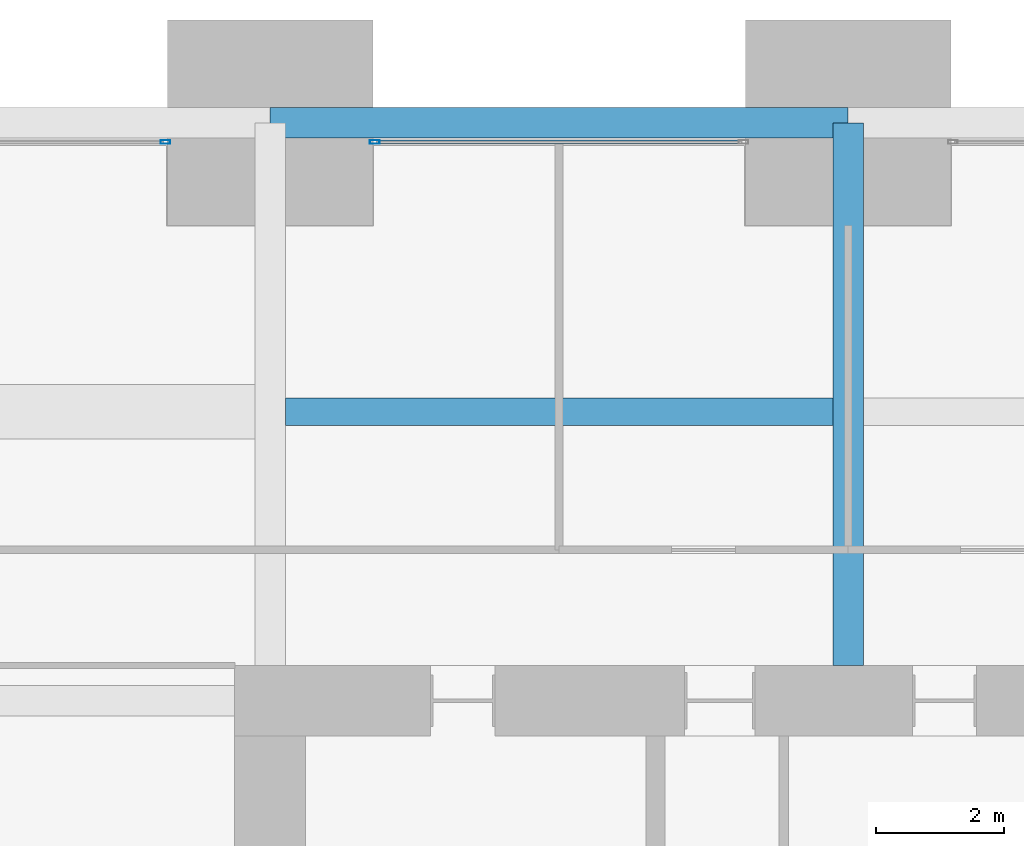
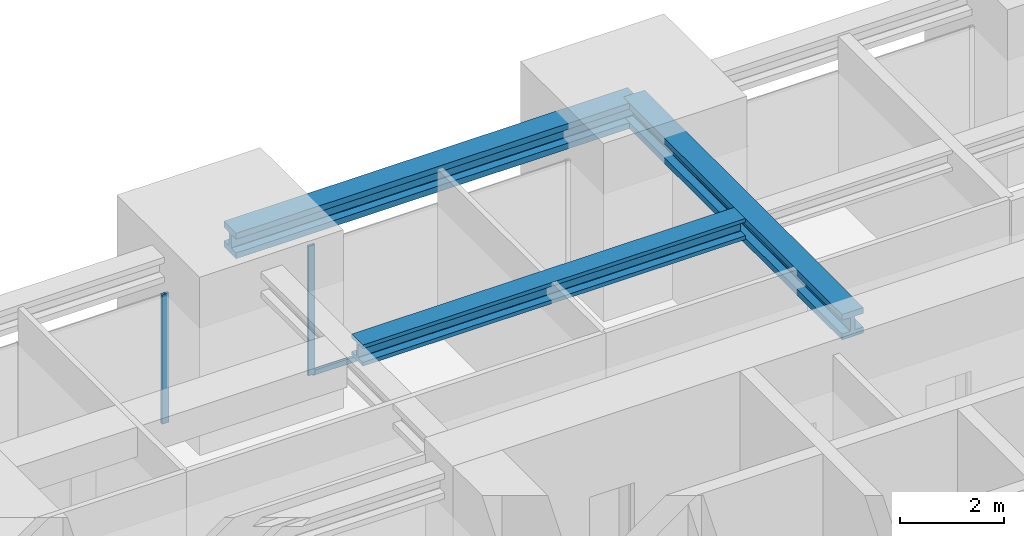
# One storey, part 33 of 45: 3 beams, 3 members, 2 elements without a shape of their own.
"""IFC4 building model written with IfcOpenShell, lengths in metres."""

from ifc_helpers import new_model, si_unit, direction, frame, origin, origin_2d, place, context, subcontext, project, spatial, hollow_rectangle, i_section, extrude, material, material_profile, profile_set, type_object, element, aggregate, save


model = new_model("IFC4")

# Units and contexts
model_context = context("Model", 3, precision=1e-05, world=origin(), true_north=direction((0.0, 1.0)))
body_context = subcontext(model_context, "Body", "Model", "MODEL_VIEW")
ifc_project = project(units=[si_unit("LENGTHUNIT", "METRE"), si_unit("AREAUNIT", "SQUARE_METRE"), si_unit("VOLUMEUNIT", "CUBIC_METRE"), si_unit("PLANEANGLEUNIT", "RADIAN"), si_unit("MASSUNIT", "GRAM", prefix="KILO")], contexts=[model_context])

# Site, building, storey
site_placement = place(None, origin())
site = spatial("IfcSite", under=ifc_project, at=site_placement, CompositionType="ELEMENT")
building_placement = place(site_placement, origin())
building = spatial("IfcBuilding", under=site, at=building_placement, Name="Zorevar Civic Tower", CompositionType="ELEMENT")
storey_placement = place(building_placement, frame((0.0, 0.0, 153.0)))
storey = spatial("IfcBuildingStorey", under=building, at=storey_placement, Name="L37", CompositionType="ELEMENT", Elevation=153.0)

# Beam
ifc_material_1 = material(Name="Steel S460M (HISTAR 460)", Category="steel")
ifc_material_profile_1 = material_profile(ifc_material_1, i_section(OverallWidth=0.47607421875, OverallDepth=0.60009765625, WebThickness=0.10009765625, FlangeThickness=0.139892578125, FilletRadius=0.014892578125, at=origin_2d()), Name="HD 400x1299")
ifc_profile_set_1 = profile_set([ifc_material_profile_1], Name="Steel S460M (HISTAR 460)")
beam_type_1 = type_object("IfcBeamType", Name="Belt chord HD 400x1299", PredefinedType="BEAM", material=ifc_profile_set_1)
beam_1_placement = place(storey_placement, frame((18.0, 45.0, 3.550048828125), z_axis=(1.0, 0.0, 0.0), x_axis=(0.0, 1.0, 0.0)))
element("IfcBeam", 1, at=beam_1_placement, inside=storey, type_object=beam_type_1, Name="Belt chord L38", PredefinedType="BEAM", context=body_context, shape_type="SweptSolid", body=[
    extrude(i_section(OverallWidth=0.47607421875, OverallDepth=0.60009765625, WebThickness=0.10009765625, FlangeThickness=0.139892578125, FilletRadius=0.014892578125, at=origin_2d()), origin(), (0.0, 0.0, 1.0), 9.0),
])

# Curtain wall, member
ifc_material_2 = material(Name="Dark grey solar-control glass in black aluminium frame", Category="aluminium")
curtain_wall_type = type_object("IfcCurtainWallType", Name="Curtain wall CW3 mid zone", PredefinedType="NOTDEFINED", material=ifc_material_2)
curtain_wall_1_placement = place(storey_placement, origin())
curtain_wall_1 = element("IfcCurtainWall", 2, at=curtain_wall_1_placement, inside=storey, type_object=curtain_wall_type, Name="CW3 L37", PredefinedType="NOTDEFINED")
ifc_material_3 = material(Name="Aluminium, black anodised", Category="aluminium")
ifc_material_profile_2 = material_profile(ifc_material_3, hollow_rectangle(XDim=0.06005859375, YDim=0.14990234375, WallThickness=0.00390625, at=origin_2d()), Name="AL 150x60x4")
ifc_profile_set_2 = profile_set([ifc_material_profile_2], Name="Aluminium, black anodised")
member_type_1 = type_object("IfcMemberType", Name="CW3 mullion AL 150x60x4", PredefinedType="MULLION", material=ifc_profile_set_2)
member_1_placement = place(storey_placement, frame((16.3701171875, 44.699951171875, 0.0), z_axis=(0.0, 0.0, 1.0), x_axis=(0.0, 1.0, 0.0)))
member_1 = element("IfcMember", 3, at=member_1_placement, type_object=member_type_1, Name="CW3 mullion 3", PredefinedType="MULLION", context=body_context, shape_type="SweptSolid", body=[
    extrude(hollow_rectangle(XDim=0.06005859375, YDim=0.14990234375, WallThickness=0.00390625, at=origin_2d()), origin(), (0.0, 0.0, 1.0), 3.050048828125),
])
aggregate(curtain_wall_1, [member_1])

# Curtain wall, members
curtain_wall_2_placement = place(storey_placement, origin())
curtain_wall_2 = element("IfcCurtainWall", 4, at=curtain_wall_2_placement, inside=storey, type_object=curtain_wall_type, Name="CW3 L37", PredefinedType="NOTDEFINED")
member_2_placement = place(storey_placement, frame((19.6298828125, 44.699951171875, 0.0), z_axis=(0.0, 0.0, 1.0), x_axis=(0.0, 1.0, 0.0)))
member_2 = element("IfcMember", 5, at=member_2_placement, type_object=member_type_1, Name="CW3 mullion 1", PredefinedType="MULLION", context=body_context, shape_type="SweptSolid", body=[
    extrude(hollow_rectangle(XDim=0.06005859375, YDim=0.14990234375, WallThickness=0.00390625, at=origin_2d()), origin(), (0.0, 0.0, 1.0), 3.050048828125),
])
ifc_material_4 = material(Name="Aluminium, black anodised", Category="aluminium")
ifc_material_profile_3 = material_profile(ifc_material_4, hollow_rectangle(XDim=0.06005859375, YDim=0.1201171875, WallThickness=0.0029296875, at=origin_2d()), Name="AL 120x60x3")
ifc_profile_set_3 = profile_set([ifc_material_profile_3], Name="Aluminium, black anodised")
member_type_2 = type_object("IfcMemberType", Name="CW3 transom AL 120x60x3", PredefinedType="USERDEFINED", material=ifc_profile_set_3)
member_3_placement = place(storey_placement, frame((19.659912109375, 44.699951171875, 0.030029296875), z_axis=(1.0, 0.0, 0.0), x_axis=(0.0, 1.0, 0.0)))
member_3 = element("IfcMember", 6, at=member_3_placement, type_object=member_type_2, Name="CW3 sill transom", ObjectType="TRANSOM", PredefinedType="USERDEFINED", context=body_context, shape_type="SweptSolid", body=[
    extrude(hollow_rectangle(XDim=0.06005859375, YDim=0.1201171875, WallThickness=0.0029296875, at=origin_2d()), origin(), (0.0, 0.0, 1.0), 5.68017578125),
])
aggregate(curtain_wall_2, [member_2, member_3])

# Beams
ifc_material_5 = material(Name="Steel S460M (HISTAR 460)", Category="steel")
ifc_material_profile_4 = material_profile(ifc_material_5, i_section(OverallWidth=0.431884765625, OverallDepth=0.498046875, WebThickness=0.0556640625, FlangeThickness=0.0888671875, FilletRadius=0.014892578125, at=origin_2d()), Name="HD 400x744")
ifc_profile_set_4 = profile_set([ifc_material_profile_4], Name="Steel S460M (HISTAR 460)")
beam_type_2 = type_object("IfcBeamType", Name="Core bay beam HD 400x744", PredefinedType="BEAM", material=ifc_profile_set_4)
beam_2_placement = place(storey_placement, frame((18.238037109375, 40.5, 3.60107421875), z_axis=(1.0, 0.0, 0.0), x_axis=(0.0, 1.0, 0.0)))
element("IfcBeam", 7, at=beam_2_placement, inside=storey, type_object=beam_type_2, Name="Secondary beam L38", PredefinedType="BEAM", context=body_context, shape_type="SweptSolid", body=[
    extrude(i_section(OverallWidth=0.431884765625, OverallDepth=0.498046875, WebThickness=0.0556640625, FlangeThickness=0.0888671875, FilletRadius=0.014892578125, at=origin_2d()), origin(), (0.0, 0.0, 1.0), 8.52392578125),
])
ifc_material_6 = material(Name="Steel S460M (HISTAR 460)", Category="steel")
ifc_material_profile_5 = material_profile(ifc_material_6, i_section(OverallWidth=0.47607421875, OverallDepth=0.60009765625, WebThickness=0.10009765625, FlangeThickness=0.139892578125, FilletRadius=0.014892578125, at=origin_2d()), Name="HD 400x1299")
ifc_profile_set_5 = profile_set([ifc_material_profile_5], Name="Steel S460M (HISTAR 460)")
beam_type_3 = type_object("IfcBeamType", Name="Outrigger chord HD 400x1299", PredefinedType="BEAM", material=ifc_profile_set_5)
beam_3_placement = place(storey_placement, frame((27.0, 36.550048828125, 3.550048828125), z_axis=(0.0, 1.0, 0.0), x_axis=(-1.0, 0.0, 0.0)))
element("IfcBeam", 8, at=beam_3_placement, inside=storey, type_object=beam_type_3, Name="Outrigger chord L38", PredefinedType="BEAM", context=body_context, shape_type="SweptSolid", body=[
    extrude(i_section(OverallWidth=0.47607421875, OverallDepth=0.60009765625, WebThickness=0.10009765625, FlangeThickness=0.139892578125, FilletRadius=0.014892578125, at=origin_2d()), origin(), (0.0, 0.0, 1.0), 8.449951171875),
])

save(model, "model.ifc")
